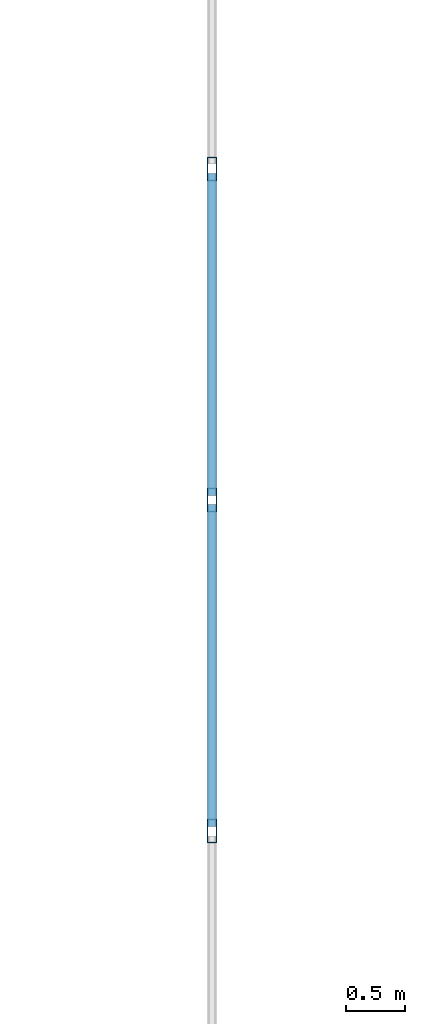
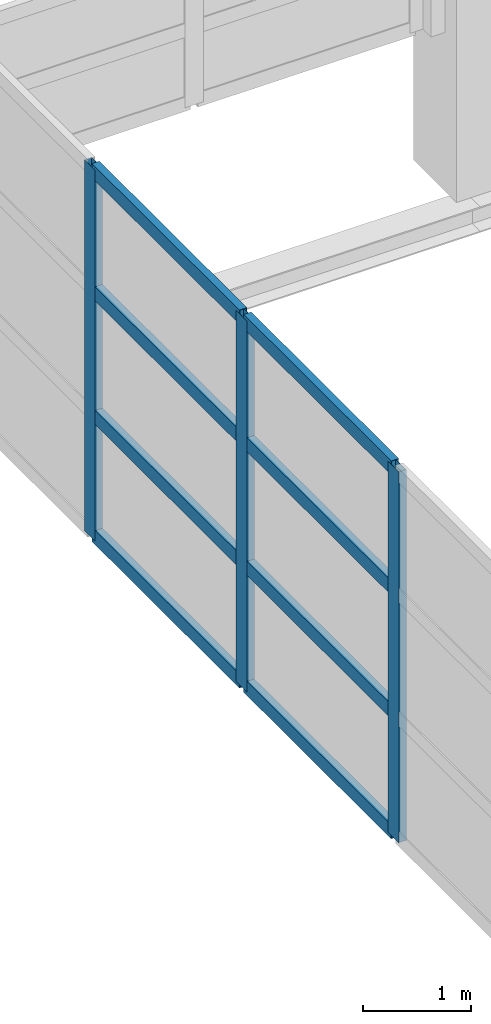
# One storey, part 48 of 86: 11 members, 1 element without a shape of its own.
"""IFC4 building model written with IfcOpenShell, lengths in metres."""

import ifcopenshell
import ifcopenshell.guid

model = None  # the IFC model being written
_history = None  # IfcOwnerHistory: only IFC2X3 demands one
_inside = {}  # id of a spatial element -> (the spatial element, [elements in it])
_under = {}  # id of a project, library or spatial element -> (it, [spatial elements below it])
_declared = {}  # id of a project -> (the project, [libraries it declares])
_typed = {}  # id of a type object -> (the type object, [elements of that type])
_made_of = {}  # id of a material, layer set ... -> (it, [elements and type objects made of it])


def new_model(schema):
    """Start an empty IFC model of exactly this schema.

    Asked for "IFC4X3", IfcOpenShell would pick the latest addendum, in which some entities
    have other attributes; the version numbers below select the first issue.
    IFC2X3 requires an IfcOwnerHistory on every rooted entity: one is made here for all.
    """
    global model, _history
    if schema == "IFC4X3":
        model = ifcopenshell.file(schema_version=(4, 3, 0, 0))
    else:
        model = ifcopenshell.file(schema=schema)
    _inside.clear()
    _under.clear()
    _declared.clear()
    _typed.clear()
    _made_of.clear()
    _history = None
    if model.schema == "IFC2X3":
        org = make("IfcOrganization", Name="unknown")
        user = make(
            "IfcPersonAndOrganization",
            ThePerson=make("IfcPerson", FamilyName="unknown"),
            TheOrganization=org,
        )
        app = make(
            "IfcApplication",
            ApplicationDeveloper=org,
            Version="unknown",
            ApplicationFullName="unknown",
            ApplicationIdentifier="unknown",
        )
        _history = make(
            "IfcOwnerHistory",
            OwningUser=user,
            OwningApplication=app,
            ChangeAction="ADDED",
            CreationDate=0,
        )
    return model


def make(cls, **values):
    """One entity of the class cls with the attributes given. An attribute that is None is left unset."""
    return model.create_entity(
        cls, **{name: value for name, value in values.items() if value is not None}
    )


def rooted(cls, **values):
    """An entity with a GlobalId (a new one), such as an element, a storey or a relation."""
    return make(cls, GlobalId=ifcopenshell.guid.new(), OwnerHistory=_history, **values)


def si_unit(unit_type, name, prefix=None):
    """IfcSIUnit, for example si_unit("LENGTHUNIT", "METRE", prefix="MILLI")."""
    return make("IfcSIUnit", UnitType=unit_type, Prefix=prefix, Name=name)


def assignment(units):
    """IfcUnitAssignment: the units of a project."""
    return None if units is None else make("IfcUnitAssignment", Units=units)


def point(xyz):
    """IfcCartesianPoint."""
    return None if xyz is None else make("IfcCartesianPoint", Coordinates=xyz)


def direction(xyz):
    """IfcDirection."""
    return None if xyz is None else make("IfcDirection", DirectionRatios=xyz)


def frame(location, z_axis=None, x_axis=None):
    """IfcAxis2Placement3D, a coordinate frame: its origin and axes. An axis left out is left unset."""
    return make(
        "IfcAxis2Placement3D",
        Location=point(location),
        Axis=direction(z_axis),
        RefDirection=direction(x_axis),
    )


def frame_2d(location, x_axis=None):
    """IfcAxis2Placement2D, a coordinate frame in the plane: its origin and x axis."""
    return make(
        "IfcAxis2Placement2D", Location=point(location), RefDirection=direction(x_axis)
    )


def origin():
    """The frame at (0, 0, 0) with its axes left unset."""
    return frame((0.0, 0.0, 0.0))


def origin_2d():
    """The frame at (0, 0) in the plane with its x axis left unset."""
    return frame_2d((0.0, 0.0))


def place(relative_to, where):
    """IfcLocalPlacement: puts the frame where relative to a parent placement (None: the world)."""
    return make(
        "IfcLocalPlacement", PlacementRelTo=relative_to, RelativePlacement=where
    )


def context(
    kind, dimensions, precision=None, world=None, true_north=None, identifier=None
):
    """IfcGeometricRepresentationContext, for example the 3D "Model" context."""
    return make(
        "IfcGeometricRepresentationContext",
        ContextIdentifier=identifier,
        ContextType=kind,
        CoordinateSpaceDimension=dimensions,
        Precision=precision,
        WorldCoordinateSystem=world,
        TrueNorth=true_north,
    )


def subcontext(parent, identifier, kind, view, scale=None):
    """IfcGeometricRepresentationSubContext, for example "Body" below "Model"."""
    return make(
        "IfcGeometricRepresentationSubContext",
        ContextIdentifier=identifier,
        ContextType=kind,
        ParentContext=parent,
        TargetScale=scale,
        TargetView=view,
    )


def project(units=None, contexts=None):
    """IfcProject with its units and contexts."""
    return rooted(
        "IfcProject",
        Name="project",
        RepresentationContexts=contexts,
        UnitsInContext=assignment(units),
    )


def spatial(cls, under=None, at=None, **own):
    """A site, building, storey or space (cls), placed at a placement, below another one or the project."""
    s = rooted(cls, ObjectPlacement=at, **own)
    if under is not None:
        _under.setdefault(under.id(), (under, []))[1].append(s)
    return s


def profile(cls, at=None, kind="AREA", **sizes):
    """A parametric profile (cls). Its sizes go by their IFC names, for example OverallWidth=200.0."""
    return make(cls, ProfileType=kind, Position=at, **sizes)


def hollow_rectangle(**sizes):
    """IfcRectangleHollowProfileDef."""
    return profile("IfcRectangleHollowProfileDef", **sizes)


def extrude(swept, where, along, depth):
    """IfcExtrudedAreaSolid: the profile swept, set in the frame where, extruded along a direction by depth."""
    return make(
        "IfcExtrudedAreaSolid",
        SweptArea=swept,
        Position=where,
        ExtrudedDirection=direction(along),
        Depth=depth,
    )


def shape(context_of_items, identifier, shape_type, items):
    """IfcShapeRepresentation: the items that make up one representation, for example the "Body"."""
    return make(
        "IfcShapeRepresentation",
        ContextOfItems=context_of_items,
        RepresentationIdentifier=identifier,
        RepresentationType=shape_type,
        Items=items,
    )


def material(Name=None, Category=None):
    """IfcMaterial."""
    return make("IfcMaterial", Name=Name, Category=Category)


def layer(
    of_material, thickness, ventilated=None, Name=None, Category=None, Priority=None
):
    """IfcMaterialLayer: one layer of a wall or slab, of a material (None: an air gap)."""
    return make(
        "IfcMaterialLayer",
        Material=of_material,
        LayerThickness=thickness,
        IsVentilated=ventilated,
        Name=Name,
        Category=Category,
        Priority=Priority,
    )


def layer_set(layers, Name=None):
    """IfcMaterialLayerSet."""
    return make("IfcMaterialLayerSet", MaterialLayers=layers, LayerSetName=Name)


def material_profile(
    of_material, cross_section, Name=None, Category=None, Priority=None
):
    """IfcMaterialProfile: a cross section and its material."""
    return make(
        "IfcMaterialProfile",
        Name=Name,
        Material=of_material,
        Profile=cross_section,
        Priority=Priority,
        Category=Category,
    )


def profile_set(profiles, Name=None, composite=None):
    """IfcMaterialProfileSet."""
    return make(
        "IfcMaterialProfileSet",
        Name=Name,
        MaterialProfiles=profiles,
        CompositeProfile=composite,
    )


def made_of(thing, what):
    """Note that an element or type object is made of a material, layer set ...; save() writes the relation."""
    if what is not None:
        _made_of.setdefault(what.id(), (what, []))[1].append(thing)
    return thing


def type_object(cls, material=None, **own):
    """A type object (cls), such as IfcWallType, which elements share."""
    return made_of(rooted(cls, **own), material)


def element(
    cls,
    number,
    at=None,
    inside=None,
    cuts=None,
    type_object=None,
    material=None,
    context=None,
    identifier="Body",
    shape_type=None,
    held_by="IfcProductDefinitionShape",
    body=None,
    shapes=None,
    **own,
):
    """One element of the class cls, such as IfcWall. Its Tag is "e" and its number.

    at: its placement. inside: the storey or other place that contains it. cuts: it is an
    opening in that element (IfcRelVoidsElement). A single representation is given by context,
    identifier, shape_type and body (its items); several are given by shapes. held_by: the class
    of the entity that holds the representations. save() writes the other relations.
    """
    e = rooted(cls, Tag="e%d" % number, ObjectPlacement=at, **own)
    if body is not None:
        shapes = [shape(context, identifier, shape_type, body)]
    if shapes is not None:
        e.Representation = make(held_by, Representations=shapes)
    if inside is not None:
        _inside.setdefault(inside.id(), (inside, []))[1].append(e)
    if cuts is not None:
        rooted(
            "IfcRelVoidsElement", RelatingBuildingElement=cuts, RelatedOpeningElement=e
        )
    if type_object is not None:
        _typed.setdefault(type_object.id(), (type_object, []))[1].append(e)
    return made_of(e, material)


def aggregate(whole, parts):
    """IfcRelAggregates: a whole, such as a stair, and the parts it consists of."""
    return rooted("IfcRelAggregates", RelatingObject=whole, RelatedObjects=parts)


def save(model, path):
    """Write the relations noted so far, then the file.

    IfcRelAggregates (storeys below a building ...), IfcRelContainedInSpatialStructure (elements
    in a storey), IfcRelDefinesByType, IfcRelAssociatesMaterial and IfcRelDeclares: one each for
    every whole, place, type object, material and project.
    """
    for whole, parts in _under.values():
        aggregate(whole, parts)
    for where, things in _inside.values():
        rooted(
            "IfcRelContainedInSpatialStructure",
            RelatedElements=things,
            RelatingStructure=where,
        )
    for kind, things in _typed.values():
        rooted("IfcRelDefinesByType", RelatedObjects=things, RelatingType=kind)
    for what, things in _made_of.values():
        rooted("IfcRelAssociatesMaterial", RelatedObjects=things, RelatingMaterial=what)
    for by, libraries in _declared.values():
        rooted("IfcRelDeclares", RelatingContext=by, RelatedDefinitions=libraries)
    model.write(path)


model = new_model("IFC4")

# Units and contexts
model_context = context("Model", 3, precision=1e-05, world=origin(), true_north=direction((0.0, 1.0)))
body_context = subcontext(model_context, "Body", "Model", "MODEL_VIEW")
ifc_project = project(units=[si_unit("LENGTHUNIT", "METRE"), si_unit("AREAUNIT", "SQUARE_METRE"), si_unit("VOLUMEUNIT", "CUBIC_METRE"), si_unit("PLANEANGLEUNIT", "RADIAN"), si_unit("MASSUNIT", "GRAM", prefix="KILO")], contexts=[model_context])

# Site, building, storey
site_placement = place(None, origin())
site = spatial("IfcSite", under=ifc_project, at=site_placement, CompositionType="ELEMENT")
building_placement = place(site_placement, origin())
building = spatial("IfcBuilding", under=site, at=building_placement, Name="Zilviju Railside Exhibition Hall", CompositionType="ELEMENT")
storey_placement = place(building_placement, frame((0.0, 0.0, 12.60009765625)))
storey = spatial("IfcBuildingStorey", under=building, at=storey_placement, Name="L04", CompositionType="ELEMENT", Elevation=12.60009765625)

# Curtain wall, members
ifc_material_1 = material(Name="Thermally broken aluminium-steel triple-glazed curtain wall", Category="steel")
ifc_layer = layer(ifc_material_1, 0.179931640625)
ifc_layer_set = layer_set([ifc_layer], Name="Thermally broken aluminium-steel triple-glazed curtain wall")
curtain_wall_type = type_object("IfcCurtainWallType", Name="CW-BAY-18", PredefinedType="USERDEFINED", material=ifc_layer_set)
curtain_wall_placement = place(storey_placement, origin())
curtain_wall = element("IfcCurtainWall", 1, at=curtain_wall_placement, inside=storey, type_object=curtain_wall_type, Name="North Hall West Upper Glazed Gable (120..138)", ObjectType="GLAZED CURTAIN WALL", PredefinedType="USERDEFINED")
ifc_material_2 = material(Name="Thermally broken anodized aluminium mullion", Category="aluminium")
ifc_material_profile_1 = material_profile(ifc_material_2, hollow_rectangle(XDim=0.080078125, YDim=0.199951171875, WallThickness=0.0048828125, at=origin_2d()), Name="MULLION 200x80x5")
ifc_profile_set_1 = profile_set([ifc_material_profile_1], Name="Thermally broken anodized aluminium mullion")
member_type_1 = type_object("IfcMemberType", Name="CWM-80x200", PredefinedType="MULLION", material=ifc_profile_set_1)
member_1_placement = place(storey_placement, frame((78.0, 129.0, 0.0), z_axis=(0.0, 0.0, 1.0), x_axis=(-1.0, 0.0, 0.0)))
member_1 = element("IfcMember", 2, at=member_1_placement, type_object=member_type_1, Name="CW-18 mullion 4", PredefinedType="MULLION", context=body_context, shape_type="SweptSolid", body=[
    extrude(hollow_rectangle(XDim=0.080078125, YDim=0.199951171875, WallThickness=0.0048828125, at=origin_2d()), origin(), (0.0, 0.0, 1.0), 4.199951171875),
])
member_2_placement = place(storey_placement, frame((78.0, 131.816650390625, 0.0), z_axis=(0.0, 0.0, 1.0), x_axis=(-1.0, 0.0, 0.0)))
member_2 = element("IfcMember", 3, at=member_2_placement, type_object=member_type_1, Name="CW-18 mullion 5", PredefinedType="MULLION", context=body_context, shape_type="SweptSolid", body=[
    extrude(hollow_rectangle(XDim=0.080078125, YDim=0.199951171875, WallThickness=0.0048828125, at=origin_2d()), origin(), (0.0, 0.0, 1.0), 4.199951171875),
])
member_3_placement = place(storey_placement, frame((78.0, 134.63330078125, 0.0), z_axis=(0.0, 0.0, 1.0), x_axis=(-1.0, 0.0, 0.0)))
member_3 = element("IfcMember", 4, at=member_3_placement, type_object=member_type_1, Name="CW-18 mullion 6", PredefinedType="MULLION", context=body_context, shape_type="SweptSolid", body=[
    extrude(hollow_rectangle(XDim=0.080078125, YDim=0.199951171875, WallThickness=0.0048828125, at=origin_2d()), origin(), (0.0, 0.0, 1.0), 4.199951171875),
])
ifc_material_3 = material(Name="Thermally broken anodized aluminium transom", Category="aluminium")
ifc_material_profile_2 = material_profile(ifc_material_3, hollow_rectangle(XDim=0.080078125, YDim=0.159912109375, WallThickness=0.0048828125, at=origin_2d()), Name="TRANSOM 160x80x5")
ifc_profile_set_2 = profile_set([ifc_material_profile_2], Name="Thermally broken anodized aluminium transom")
member_type_2 = type_object("IfcMemberType", Name="CWT-80x160", PredefinedType="USERDEFINED", material=ifc_profile_set_2)
member_4_placement = place(storey_placement, frame((78.0, 129.0400390625, 0.039794921875), z_axis=(0.0, 1.0, 0.0), x_axis=(-1.0, 0.0, 0.0)))
member_4 = element("IfcMember", 5, at=member_4_placement, type_object=member_type_2, Name="CW-18 transom 4.1", ObjectType="TRANSOM", PredefinedType="USERDEFINED", context=body_context, shape_type="SweptSolid", body=[
    extrude(hollow_rectangle(XDim=0.080078125, YDim=0.159912109375, WallThickness=0.0048828125, at=origin_2d()), origin(), (0.0, 0.0, 1.0), 2.736572265625),
])
member_5_placement = place(storey_placement, frame((78.0, 129.0400390625, 1.39990234375), z_axis=(0.0, 1.0, 0.0), x_axis=(-1.0, 0.0, 0.0)))
member_5 = element("IfcMember", 6, at=member_5_placement, type_object=member_type_2, Name="CW-18 transom 4.2", ObjectType="TRANSOM", PredefinedType="USERDEFINED", context=body_context, shape_type="SweptSolid", body=[
    extrude(hollow_rectangle(XDim=0.080078125, YDim=0.159912109375, WallThickness=0.0048828125, at=origin_2d()), origin(), (0.0, 0.0, 1.0), 2.736572265625),
])
member_6_placement = place(storey_placement, frame((78.0, 129.0400390625, 2.7998046875), z_axis=(0.0, 1.0, 0.0), x_axis=(-1.0, 0.0, 0.0)))
member_6 = element("IfcMember", 7, at=member_6_placement, type_object=member_type_2, Name="CW-18 transom 4.3", ObjectType="TRANSOM", PredefinedType="USERDEFINED", context=body_context, shape_type="SweptSolid", body=[
    extrude(hollow_rectangle(XDim=0.080078125, YDim=0.159912109375, WallThickness=0.0048828125, at=origin_2d()), origin(), (0.0, 0.0, 1.0), 2.736572265625),
])
member_7_placement = place(storey_placement, frame((78.0, 129.0400390625, 4.159912109375), z_axis=(0.0, 1.0, 0.0), x_axis=(-1.0, 0.0, 0.0)))
member_7 = element("IfcMember", 8, at=member_7_placement, type_object=member_type_2, Name="CW-18 transom 4.4", ObjectType="TRANSOM", PredefinedType="USERDEFINED", context=body_context, shape_type="SweptSolid", body=[
    extrude(hollow_rectangle(XDim=0.080078125, YDim=0.159912109375, WallThickness=0.0048828125, at=origin_2d()), origin(), (0.0, 0.0, 1.0), 2.736572265625),
])
member_8_placement = place(storey_placement, frame((78.0, 131.856689453125, 0.039794921875), z_axis=(0.0, 1.0, 0.0), x_axis=(-1.0, 0.0, 0.0)))
member_8 = element("IfcMember", 9, at=member_8_placement, type_object=member_type_2, Name="CW-18 transom 5.1", ObjectType="TRANSOM", PredefinedType="USERDEFINED", context=body_context, shape_type="SweptSolid", body=[
    extrude(hollow_rectangle(XDim=0.080078125, YDim=0.159912109375, WallThickness=0.0048828125, at=origin_2d()), origin(), (0.0, 0.0, 1.0), 2.736572265625),
])
member_9_placement = place(storey_placement, frame((78.0, 131.856689453125, 1.39990234375), z_axis=(0.0, 1.0, 0.0), x_axis=(-1.0, 0.0, 0.0)))
member_9 = element("IfcMember", 10, at=member_9_placement, type_object=member_type_2, Name="CW-18 transom 5.2", ObjectType="TRANSOM", PredefinedType="USERDEFINED", context=body_context, shape_type="SweptSolid", body=[
    extrude(hollow_rectangle(XDim=0.080078125, YDim=0.159912109375, WallThickness=0.0048828125, at=origin_2d()), origin(), (0.0, 0.0, 1.0), 2.736572265625),
])
member_10_placement = place(storey_placement, frame((78.0, 131.856689453125, 2.7998046875), z_axis=(0.0, 1.0, 0.0), x_axis=(-1.0, 0.0, 0.0)))
member_10 = element("IfcMember", 11, at=member_10_placement, type_object=member_type_2, Name="CW-18 transom 5.3", ObjectType="TRANSOM", PredefinedType="USERDEFINED", context=body_context, shape_type="SweptSolid", body=[
    extrude(hollow_rectangle(XDim=0.080078125, YDim=0.159912109375, WallThickness=0.0048828125, at=origin_2d()), origin(), (0.0, 0.0, 1.0), 2.736572265625),
])
member_11_placement = place(storey_placement, frame((78.0, 131.856689453125, 4.159912109375), z_axis=(0.0, 1.0, 0.0), x_axis=(-1.0, 0.0, 0.0)))
member_11 = element("IfcMember", 12, at=member_11_placement, type_object=member_type_2, Name="CW-18 transom 5.4", ObjectType="TRANSOM", PredefinedType="USERDEFINED", context=body_context, shape_type="SweptSolid", body=[
    extrude(hollow_rectangle(XDim=0.080078125, YDim=0.159912109375, WallThickness=0.0048828125, at=origin_2d()), origin(), (0.0, 0.0, 1.0), 2.736572265625),
])
aggregate(curtain_wall, [member_1, member_2, member_3, member_4, member_5, member_6, member_7, member_8, member_9, member_10, member_11])

save(model, "model.ifc")
